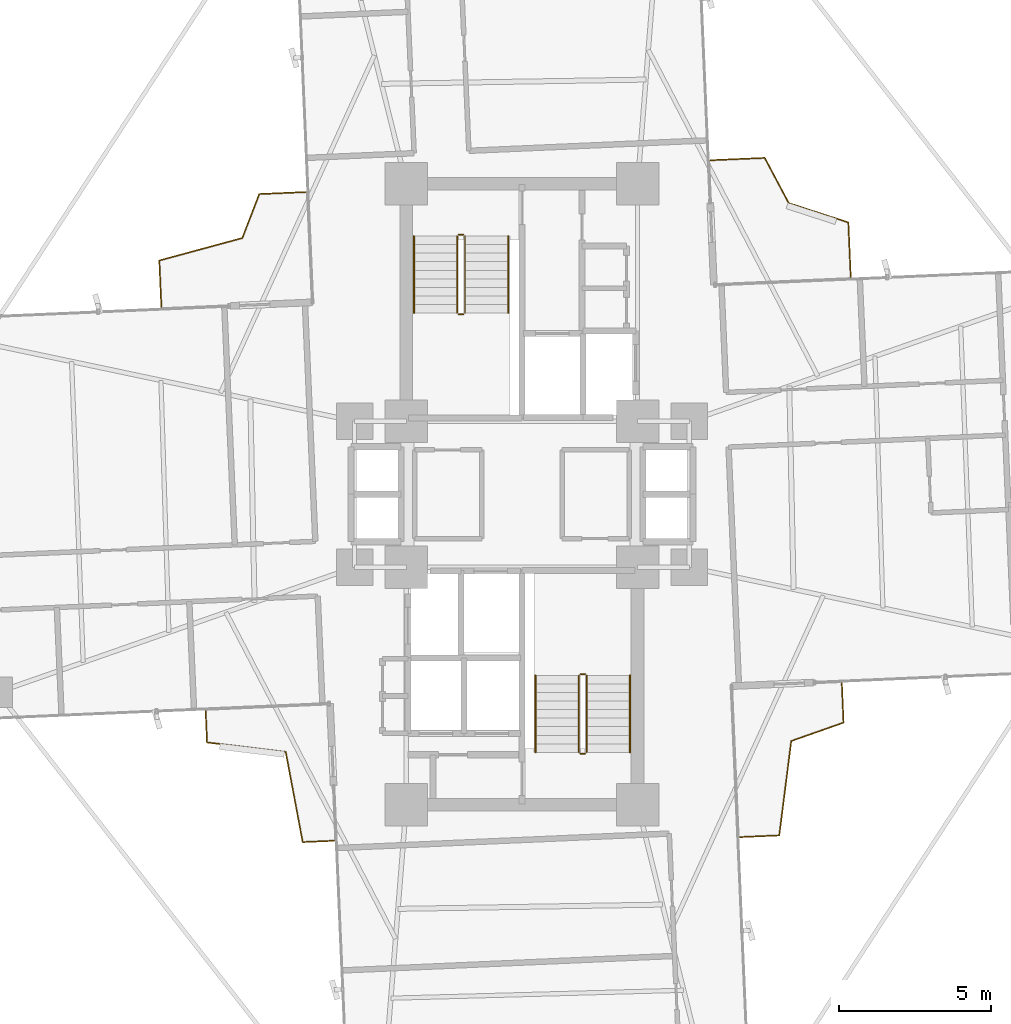
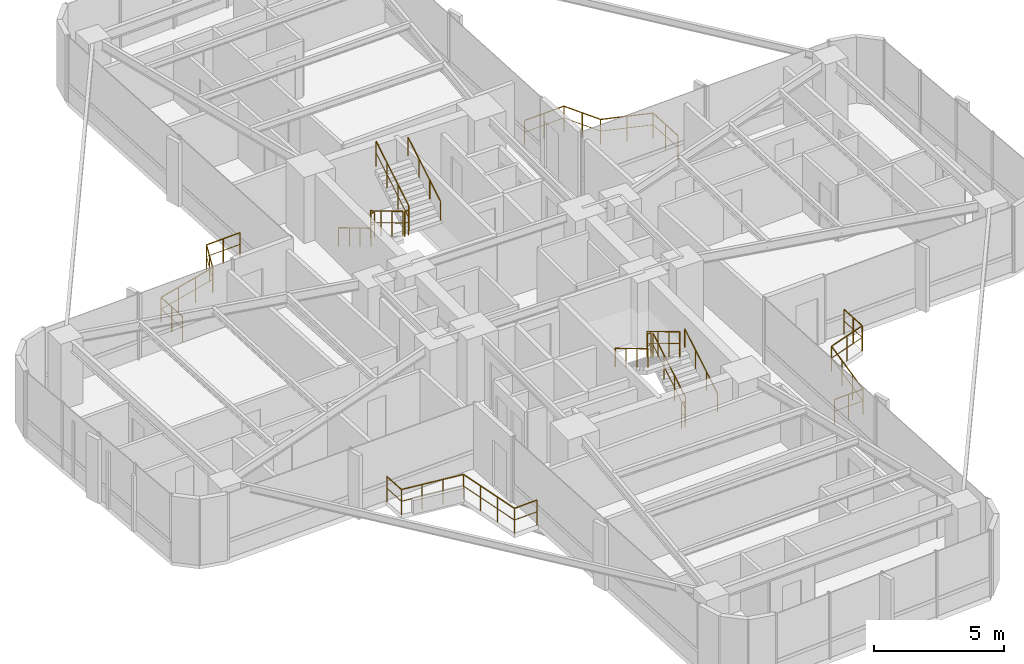
# One storey, part 27 of 27: 16 railings.
"""IFC4 building model written with IfcOpenShell, lengths in metres."""

from ifc_helpers import new_model, si_unit, direction, frame, origin, origin_2d, place, context, subcontext, project, spatial, circle, extrude, material, type_object, element, save


model = new_model("IFC4")

# Units and contexts
model_context = context("Model", 3, precision=1e-05, world=origin(), true_north=direction((0.0, 1.0)))
body_context = subcontext(model_context, "Body", "Model", "MODEL_VIEW")
ifc_project = project(units=[si_unit("LENGTHUNIT", "METRE"), si_unit("AREAUNIT", "SQUARE_METRE"), si_unit("VOLUMEUNIT", "CUBIC_METRE"), si_unit("PLANEANGLEUNIT", "RADIAN"), si_unit("MASSUNIT", "GRAM", prefix="KILO")], contexts=[model_context])

# Site, building, storey
site_placement = place(None, origin())
site = spatial("IfcSite", under=ifc_project, at=site_placement, CompositionType="ELEMENT")
building_placement = place(site_placement, origin())
building = spatial("IfcBuilding", under=site, at=building_placement, Name="Sahyath Konkavel Grand Hotel", CompositionType="ELEMENT")
storey_placement = place(building_placement, frame((0.0, 0.0, 90.199951171875)))
storey = spatial("IfcBuildingStorey", under=building, at=storey_placement, Name="L24", CompositionType="ELEMENT", Elevation=90.199951171875)

# Railings
ifc_material_1 = material(Name="Anodised Bronze Aluminium", Category="aluminium")
railing_type_1 = type_object("IfcRailingType", Name="RLG-BALC-1200", PredefinedType="GUARDRAIL", material=ifc_material_1)
railing_1_placement = place(storey_placement, frame((10.804931640625, 7.13818359375, 0.0)))
element("IfcRailing", 1, at=railing_1_placement, inside=storey, type_object=railing_type_1, Name="L24 Winter-Garden Guard NE", PredefinedType="GUARDRAIL", context=body_context, shape_type="SweptSolid", body=[
    extrude(circle(Radius=0.02392578125, at=origin_2d()), frame((0.0, 0.001953125, 1.17578125), z_axis=(-0.043667457115, 0.999046121653, 0.0), x_axis=(-0.999046121653, -0.043667457115, 0.0)), (0.0, 0.0, 1.0), 1.790771484375),
    extrude(circle(Radius=0.01416015625, at=origin_2d()), frame((0.0, 0.001953125, 0.6240234375), z_axis=(-0.043667457115, 0.999046121653, 0.0), x_axis=(-0.999046121653, -0.043667457115, 0.0)), (0.0, 0.0, 1.0), 1.790771484375),
    extrude(circle(Radius=0.02392578125, at=origin_2d()), frame((-0.080322265625, 1.793701171875, 1.17578125), z_axis=(-0.951119377356, 0.308823460926, 0.0), x_axis=(-0.308823460926, -0.951119377356, 0.0)), (0.0, 0.0, 1.0), 2.05615234375),
    extrude(circle(Radius=0.01416015625, at=origin_2d()), frame((-0.080322265625, 1.793701171875, 0.6240234375), z_axis=(-0.951119377356, 0.308823460926, 0.0), x_axis=(-0.308823460926, -0.951119377356, 0.0)), (0.0, 0.0, 1.0), 2.05615234375),
    extrude(circle(Radius=0.02392578125, at=origin_2d()), frame((-2.038818359375, 2.430908203125, 1.17578125), z_axis=(-0.468181360603, 0.883632397315, 0.0), x_axis=(-0.883632397315, -0.468181360603, 0.0)), (0.0, 0.0, 1.0), 1.6767578125),
    extrude(circle(Radius=0.01416015625, at=origin_2d()), frame((-2.038818359375, 2.430908203125, 0.6240234375), z_axis=(-0.468181360603, 0.883632397315, 0.0), x_axis=(-0.883632397315, -0.468181360603, 0.0)), (0.0, 0.0, 1.0), 1.6767578125),
    extrude(circle(Radius=0.02392578125, at=origin_2d()), frame((-2.82666015625, 3.914306640625, 1.17578125), z_axis=(-0.999052047128, -0.043531679613, 0.0), x_axis=(0.043531679613, -0.999052047128, 0.0)), (0.0, 0.0, 1.0), 1.790771484375),
    extrude(circle(Radius=0.01416015625, at=origin_2d()), frame((-2.82666015625, 3.914306640625, 0.6240234375), z_axis=(-0.999052047128, -0.043531679613, 0.0), x_axis=(0.043531679613, -0.999052047128, 0.0)), (0.0, 0.0, 1.0), 1.790771484375),
    extrude(circle(Radius=0.02099609375, at=origin_2d()), origin(), (0.0, 0.0, 1.0), 1.15185546875),
    extrude(circle(Radius=0.02099609375, at=origin_2d()), frame((-0.0390625, 0.896484375, 0.0)), (0.0, 0.0, 1.0), 1.15185546875),
    extrude(circle(Radius=0.02099609375, at=origin_2d()), frame((-0.078369140625, 1.79296875, 0.0)), (0.0, 0.0, 1.0), 1.15185546875),
    extrude(circle(Radius=0.02099609375, at=origin_2d()), frame((-1.05810546875, 2.111083984375, 0.0)), (0.0, 0.0, 1.0), 1.15185546875),
    extrude(circle(Radius=0.02099609375, at=origin_2d()), frame((-2.037841796875, 2.42919921875, 0.0)), (0.0, 0.0, 1.0), 1.15185546875),
    extrude(circle(Radius=0.02099609375, at=origin_2d()), frame((-2.43115234375, 3.171875, 0.0)), (0.0, 0.0, 1.0), 1.15185546875),
    extrude(circle(Radius=0.02099609375, at=origin_2d()), frame((-2.82470703125, 3.914306640625, 0.0)), (0.0, 0.0, 1.0), 1.15185546875),
    extrude(circle(Radius=0.02099609375, at=origin_2d()), frame((-3.72119140625, 3.875244140625, 0.0)), (0.0, 0.0, 1.0), 1.15185546875),
    extrude(circle(Radius=0.02099609375, at=origin_2d()), frame((-4.61767578125, 3.836181640625, 0.0)), (0.0, 0.0, 1.0), 1.15185546875),
])
railing_2_placement = place(storey_placement, frame((-7.099853515625, 9.930908203125, 0.0)))
element("IfcRailing", 2, at=railing_2_placement, inside=storey, type_object=railing_type_1, Name="L24 Winter-Garden Guard NW", PredefinedType="GUARDRAIL", context=body_context, shape_type="SweptSolid", body=[
    extrude(circle(Radius=0.02392578125, at=origin_2d()), frame((-0.001953125, 0.0, 1.17578125), z_axis=(-0.999047120596, -0.043644596786, 0.0), x_axis=(0.043644596786, -0.999047120596, 0.0)), (0.0, 0.0, 1.0), 1.52880859375),
    extrude(circle(Radius=0.01416015625, at=origin_2d()), frame((-0.001953125, 0.0, 0.6240234375), z_axis=(-0.999047120596, -0.043644596786, 0.0), x_axis=(0.043644596786, -0.999047120596, 0.0)), (0.0, 0.0, 1.0), 1.52880859375),
    extrude(circle(Radius=0.02392578125, at=origin_2d()), frame((-1.531982421875, -0.06884765625, 1.17578125), z_axis=(-0.359644614281, -0.933089358753, 0.0), x_axis=(0.933089358753, -0.359644614281, 0.0)), (0.0, 0.0, 1.0), 1.54443359375),
    extrude(circle(Radius=0.01416015625, at=origin_2d()), frame((-1.531982421875, -0.06884765625, 0.6240234375), z_axis=(-0.359644614281, -0.933089358753, 0.0), x_axis=(0.933089358753, -0.359644614281, 0.0)), (0.0, 0.0, 1.0), 1.54443359375),
    extrude(circle(Radius=0.02392578125, at=origin_2d()), frame((-2.090087890625, -1.51220703125, 1.17578125), z_axis=(-0.965193207991, -0.261537896391, 0.0), x_axis=(0.261537896391, -0.965193207991, 0.0)), (0.0, 0.0, 1.0), 2.821533203125),
    extrude(circle(Radius=0.01416015625, at=origin_2d()), frame((-2.090087890625, -1.51220703125, 0.6240234375), z_axis=(-0.965193207991, -0.261537896391, 0.0), x_axis=(0.261537896391, -0.965193207991, 0.0)), (0.0, 0.0, 1.0), 2.821533203125),
    extrude(circle(Radius=0.02392578125, at=origin_2d()), frame((-4.8154296875, -2.252685546875, 1.17578125), z_axis=(0.043644596786, -0.999047120596, 0.0), x_axis=(0.999047120596, 0.043644596786, 0.0)), (0.0, 0.0, 1.0), 1.52880859375),
    extrude(circle(Radius=0.01416015625, at=origin_2d()), frame((-4.8154296875, -2.252685546875, 0.6240234375), z_axis=(0.043644596786, -0.999047120596, 0.0), x_axis=(0.999047120596, 0.043644596786, 0.0)), (0.0, 0.0, 1.0), 1.52880859375),
    extrude(circle(Radius=0.02099609375, at=origin_2d()), origin(), (0.0, 0.0, 1.0), 1.15185546875),
    extrude(circle(Radius=0.02099609375, at=origin_2d()), frame((-0.765625, -0.033447265625, 0.0)), (0.0, 0.0, 1.0), 1.15185546875),
    extrude(circle(Radius=0.02099609375, at=origin_2d()), frame((-1.53125, -0.06689453125, 0.0)), (0.0, 0.0, 1.0), 1.15185546875),
    extrude(circle(Radius=0.02099609375, at=origin_2d()), frame((-1.8095703125, -0.789306640625, 0.0)), (0.0, 0.0, 1.0), 1.15185546875),
    extrude(circle(Radius=0.02099609375, at=origin_2d()), frame((-2.088134765625, -1.51171875, 0.0)), (0.0, 0.0, 1.0), 1.15185546875),
    extrude(circle(Radius=0.02099609375, at=origin_2d()), frame((-2.997314453125, -1.758056640625, 0.0)), (0.0, 0.0, 1.0), 1.15185546875),
    extrude(circle(Radius=0.02099609375, at=origin_2d()), frame((-3.90625, -2.00439453125, 0.0)), (0.0, 0.0, 1.0), 1.15185546875),
    extrude(circle(Radius=0.02099609375, at=origin_2d()), frame((-4.8154296875, -2.250732421875, 0.0)), (0.0, 0.0, 1.0), 1.15185546875),
    extrude(circle(Radius=0.02099609375, at=origin_2d()), frame((-4.781982421875, -3.016357421875, 0.0)), (0.0, 0.0, 1.0), 1.15185546875),
    extrude(circle(Radius=0.02099609375, at=origin_2d()), frame((-4.74853515625, -3.781982421875, 0.0)), (0.0, 0.0, 1.0), 1.15185546875),
])
railing_3_placement = place(storey_placement, frame((-10.393310546875, -7.1201171875, 0.0)))
element("IfcRailing", 3, at=railing_3_placement, inside=storey, type_object=railing_type_1, Name="L24 Winter-Garden Guard SW", PredefinedType="GUARDRAIL", context=body_context, shape_type="SweptSolid", body=[
    extrude(circle(Radius=0.02392578125, at=origin_2d()), frame((0.0, -0.001953125, 1.17578125), z_axis=(0.043539356144, -0.999051712609, 0.0), x_axis=(0.999051712609, 0.043539356144, 0.0)), (0.0, 0.0, 1.0), 1.033447265625),
    extrude(circle(Radius=0.01416015625, at=origin_2d()), frame((0.0, -0.001953125, 0.6240234375), z_axis=(0.043539356144, -0.999051712609, 0.0), x_axis=(0.999051712609, 0.043539356144, 0.0)), (0.0, 0.0, 1.0), 1.033447265625),
    extrude(circle(Radius=0.02392578125, at=origin_2d()), frame((0.047119140625, -1.03662109375, 1.17578125), z_axis=(0.9927001594, -0.120608430581, 0.0), x_axis=(0.120608430581, 0.9927001594, 0.0)), (0.0, 0.0, 1.0), 2.601318359375),
    extrude(circle(Radius=0.01416015625, at=origin_2d()), frame((0.047119140625, -1.03662109375, 0.6240234375), z_axis=(0.9927001594, -0.120608430581, 0.0), x_axis=(0.120608430581, 0.9927001594, 0.0)), (0.0, 0.0, 1.0), 2.601318359375),
    extrude(circle(Radius=0.02392578125, at=origin_2d()), frame((2.6318359375, -1.3525390625, 1.17578125), z_axis=(0.184709358276, -0.982793189316, 0.0), x_axis=(0.982793189316, 0.184709358276, 0.0)), (0.0, 0.0, 1.0), 3.00830078125),
    extrude(circle(Radius=0.01416015625, at=origin_2d()), frame((2.6318359375, -1.3525390625, 0.6240234375), z_axis=(0.184709358276, -0.982793189316, 0.0), x_axis=(0.982793189316, 0.184709358276, 0.0)), (0.0, 0.0, 1.0), 3.00830078125),
    extrude(circle(Radius=0.02392578125, at=origin_2d()), frame((3.189697265625, -4.31103515625, 1.17578125), z_axis=(0.999051712609, 0.043539356144, 0.0), x_axis=(-0.043539356144, 0.999051712609, 0.0)), (0.0, 0.0, 1.0), 1.033447265625),
    extrude(circle(Radius=0.01416015625, at=origin_2d()), frame((3.189697265625, -4.31103515625, 0.6240234375), z_axis=(0.999051712609, 0.043539356144, 0.0), x_axis=(-0.043539356144, 0.999051712609, 0.0)), (0.0, 0.0, 1.0), 1.033447265625),
    extrude(circle(Radius=0.02099609375, at=origin_2d()), origin(), (0.0, 0.0, 1.0), 1.15185546875),
    extrude(circle(Radius=0.02099609375, at=origin_2d()), frame((0.045166015625, -1.036376953125, 0.0)), (0.0, 0.0, 1.0), 1.15185546875),
    extrude(circle(Radius=0.02099609375, at=origin_2d()), frame((0.9072265625, -1.14111328125, 0.0)), (0.0, 0.0, 1.0), 1.15185546875),
    extrude(circle(Radius=0.02099609375, at=origin_2d()), frame((1.769287109375, -1.245849609375, 0.0)), (0.0, 0.0, 1.0), 1.15185546875),
    extrude(circle(Radius=0.02099609375, at=origin_2d()), frame((2.63134765625, -1.3505859375, 0.0)), (0.0, 0.0, 1.0), 1.15185546875),
    extrude(circle(Radius=0.02099609375, at=origin_2d()), frame((2.81689453125, -2.33740234375, 0.0)), (0.0, 0.0, 1.0), 1.15185546875),
    extrude(circle(Radius=0.02099609375, at=origin_2d()), frame((3.002197265625, -3.32421875, 0.0)), (0.0, 0.0, 1.0), 1.15185546875),
    extrude(circle(Radius=0.02099609375, at=origin_2d()), frame((3.187744140625, -4.31103515625, 0.0)), (0.0, 0.0, 1.0), 1.15185546875),
    extrude(circle(Radius=0.02099609375, at=origin_2d()), frame((4.22412109375, -4.265869140625, 0.0)), (0.0, 0.0, 1.0), 1.15185546875),
])
railing_4_placement = place(storey_placement, frame((7.158203125, -11.267578125, 0.0)))
element("IfcRailing", 4, at=railing_4_placement, inside=storey, type_object=railing_type_1, Name="L24 Winter-Garden Guard SE", PredefinedType="GUARDRAIL", context=body_context, shape_type="SweptSolid", body=[
    extrude(circle(Radius=0.02392578125, at=origin_2d()), frame((0.001953125, 0.0, 1.17578125), z_axis=(0.999041209813, 0.043779688149, 0.0), x_axis=(-0.043779688149, 0.999041209813, 0.0)), (0.0, 0.0, 1.0), 1.29541015625),
    extrude(circle(Radius=0.01416015625, at=origin_2d()), frame((0.001953125, 0.0, 0.6240234375), z_axis=(0.999041209813, 0.043779688149, 0.0), x_axis=(-0.043779688149, 0.999041209813, 0.0)), (0.0, 0.0, 1.0), 1.29541015625),
    extrude(circle(Radius=0.02392578125, at=origin_2d()), frame((1.29833984375, 0.058837890625, 1.17578125), z_axis=(0.125976197099, 0.992033264445, 0.0), x_axis=(-0.992033264445, 0.125976197099, 0.0)), (0.0, 0.0, 1.0), 3.1220703125),
    extrude(circle(Radius=0.01416015625, at=origin_2d()), frame((1.29833984375, 0.058837890625, 0.6240234375), z_axis=(0.125976197099, 0.992033264445, 0.0), x_axis=(-0.992033264445, 0.125976197099, 0.0)), (0.0, 0.0, 1.0), 3.1220703125),
    extrude(circle(Radius=0.02392578125, at=origin_2d()), frame((1.69384765625, 3.15869140625, 1.17578125), z_axis=(0.943410276012, 0.331627880485, 0.0), x_axis=(-0.331627880485, 0.943410276012, 0.0)), (0.0, 0.0, 1.0), 1.8173828125),
    extrude(circle(Radius=0.01416015625, at=origin_2d()), frame((1.69384765625, 3.15869140625, 0.6240234375), z_axis=(0.943410276012, 0.331627880485, 0.0), x_axis=(-0.331627880485, 0.943410276012, 0.0)), (0.0, 0.0, 1.0), 1.8173828125),
    extrude(circle(Radius=0.02392578125, at=origin_2d()), frame((3.41015625, 3.763916015625, 1.17578125), z_axis=(-0.043592150313, 0.999049410405, 0.0), x_axis=(-0.999049410405, -0.043592150313, 0.0)), (0.0, 0.0, 1.0), 1.29541015625),
    extrude(circle(Radius=0.01416015625, at=origin_2d()), frame((3.41015625, 3.763916015625, 0.6240234375), z_axis=(-0.043592150313, 0.999049410405, 0.0), x_axis=(-0.999049410405, -0.043592150313, 0.0)), (0.0, 0.0, 1.0), 1.29541015625),
    extrude(circle(Radius=0.02099609375, at=origin_2d()), origin(), (0.0, 0.0, 1.0), 1.15185546875),
    extrude(circle(Radius=0.02099609375, at=origin_2d()), frame((0.64892578125, 0.0283203125, 0.0)), (0.0, 0.0, 1.0), 1.15185546875),
    extrude(circle(Radius=0.02099609375, at=origin_2d()), frame((1.298095703125, 0.056884765625, 0.0)), (0.0, 0.0, 1.0), 1.15185546875),
    extrude(circle(Radius=0.02099609375, at=origin_2d()), frame((1.429443359375, 1.090576171875, 0.0)), (0.0, 0.0, 1.0), 1.15185546875),
    extrude(circle(Radius=0.02099609375, at=origin_2d()), frame((1.560546875, 2.124267578125, 0.0)), (0.0, 0.0, 1.0), 1.15185546875),
    extrude(circle(Radius=0.02099609375, at=origin_2d()), frame((1.69189453125, 3.157958984375, 0.0)), (0.0, 0.0, 1.0), 1.15185546875),
    extrude(circle(Radius=0.02099609375, at=origin_2d()), frame((2.551025390625, 3.4599609375, 0.0)), (0.0, 0.0, 1.0), 1.15185546875),
    extrude(circle(Radius=0.02099609375, at=origin_2d()), frame((3.41015625, 3.761962890625, 0.0)), (0.0, 0.0, 1.0), 1.15185546875),
    extrude(circle(Radius=0.02099609375, at=origin_2d()), frame((3.3818359375, 4.4111328125, 0.0)), (0.0, 0.0, 1.0), 1.15185546875),
    extrude(circle(Radius=0.02099609375, at=origin_2d()), frame((3.353515625, 5.06005859375, 0.0)), (0.0, 0.0, 1.0), 1.15185546875),
])
ifc_material_2 = material(Name="Steel E350", Category="steel")
railing_type_2 = type_object("IfcRailingType", Name="RLG-STAIR-GRD", PredefinedType="GUARDRAIL", material=ifc_material_2)
railing_5_placement = place(storey_placement, frame((-2.1298828125, 8.47998046875, 0.16748046875)))
element("IfcRailing", 5, at=railing_5_placement, inside=storey, type_object=railing_type_2, Name="L24 ST-1 stair guard 1", PredefinedType="GUARDRAIL", context=body_context, shape_type="SweptSolid", body=[
    extrude(circle(Radius=0.02392578125, at=origin_2d()), frame((0.0, -0.001708984375, 1.177001953125), z_axis=(0.0, -0.858159760407, 0.513382728203), x_axis=(1.0, 0.0, 0.0)), (0.0, 0.0, 1.0), 2.9326171875),
    extrude(circle(Radius=0.01416015625, at=origin_2d()), frame((0.0, -0.001708984375, 0.625), z_axis=(0.0, -0.858159760407, 0.513382728203), x_axis=(1.0, 0.0, 0.0)), (0.0, 0.0, 1.0), 2.9326171875),
    extrude(circle(Radius=0.02099609375, at=origin_2d()), origin(), (0.0, 0.0, 1.0), 1.15185546875),
    extrude(circle(Radius=0.02099609375, at=origin_2d()), frame((0.0, -0.840087890625, 0.50244140625)), (0.0, 0.0, 1.0), 1.15185546875),
    extrude(circle(Radius=0.02099609375, at=origin_2d()), frame((0.0, -1.679931640625, 1.005126953125)), (0.0, 0.0, 1.0), 1.15185546875),
    extrude(circle(Radius=0.02099609375, at=origin_2d()), frame((0.0, -2.52001953125, 1.507568359375)), (0.0, 0.0, 1.0), 1.15185546875),
])
railing_6_placement = place(storey_placement, frame((-2.080078125, 5.909912109375, 1.675048828125)))
element("IfcRailing", 6, at=railing_6_placement, inside=storey, type_object=railing_type_2, Name="L24 ST-1 stair guard 2", PredefinedType="GUARDRAIL", context=body_context, shape_type="SweptSolid", body=[
    extrude(circle(Radius=0.02392578125, at=origin_2d()), frame((0.001953125, 0.0, 1.17578125), z_axis=(1.0, 0.0, 0.0), x_axis=(0.0, 1.0, 0.0)), (0.0, 0.0, 1.0), 0.15625),
    extrude(circle(Radius=0.01416015625, at=origin_2d()), frame((0.001953125, 0.0, 0.6240234375), z_axis=(1.0, 0.0, 0.0), x_axis=(0.0, 1.0, 0.0)), (0.0, 0.0, 1.0), 0.15625),
    extrude(circle(Radius=0.02099609375, at=origin_2d()), origin(), (0.0, 0.0, 1.0), 1.15185546875),
    extrude(circle(Radius=0.02099609375, at=origin_2d()), frame((0.16015625, 0.0, 0.0)), (0.0, 0.0, 1.0), 1.15185546875),
])
railing_7_placement = place(storey_placement, frame((-1.8701171875, 5.9599609375, 1.842529296875)))
element("IfcRailing", 7, at=railing_7_placement, inside=storey, type_object=railing_type_2, Name="L24 ST-1 stair guard 3", PredefinedType="GUARDRAIL", context=body_context, shape_type="SweptSolid", body=[
    extrude(circle(Radius=0.02392578125, at=origin_2d()), frame((0.0, 0.001708984375, 1.177001953125), z_axis=(0.0, 0.858159760407, 0.513382728203), x_axis=(-1.0, 0.0, 0.0)), (0.0, 0.0, 1.0), 2.9326171875),
    extrude(circle(Radius=0.01416015625, at=origin_2d()), frame((0.0, 0.001708984375, 0.625), z_axis=(0.0, 0.858159760407, 0.513382728203), x_axis=(-1.0, 0.0, 0.0)), (0.0, 0.0, 1.0), 2.9326171875),
    extrude(circle(Radius=0.02099609375, at=origin_2d()), origin(), (0.0, 0.0, 1.0), 1.15185546875),
    extrude(circle(Radius=0.02099609375, at=origin_2d()), frame((0.0, 0.840087890625, 0.50244140625)), (0.0, 0.0, 1.0), 1.15185546875),
    extrude(circle(Radius=0.02099609375, at=origin_2d()), frame((0.0, 1.679931640625, 1.005126953125)), (0.0, 0.0, 1.0), 1.15185546875),
    extrude(circle(Radius=0.02099609375, at=origin_2d()), frame((0.0, 2.52001953125, 1.507568359375)), (0.0, 0.0, 1.0), 1.15185546875),
])
railing_8_placement = place(storey_placement, frame((-2.080078125, 8.530029296875, 0.0)))
element("IfcRailing", 8, at=railing_8_placement, inside=storey, type_object=railing_type_2, Name="L24 ST-1 stair guard 4", PredefinedType="GUARDRAIL", context=body_context, shape_type="SweptSolid", body=[
    extrude(circle(Radius=0.02392578125, at=origin_2d()), frame((0.001953125, 0.0, 1.17578125), z_axis=(1.0, 0.0, 0.0), x_axis=(0.0, 1.0, 0.0)), (0.0, 0.0, 1.0), 0.15625),
    extrude(circle(Radius=0.01416015625, at=origin_2d()), frame((0.001953125, 0.0, 0.6240234375), z_axis=(1.0, 0.0, 0.0), x_axis=(0.0, 1.0, 0.0)), (0.0, 0.0, 1.0), 0.15625),
    extrude(circle(Radius=0.02099609375, at=origin_2d()), origin(), (0.0, 0.0, 1.0), 1.15185546875),
    extrude(circle(Radius=0.02099609375, at=origin_2d()), frame((0.16015625, 0.0, 0.0)), (0.0, 0.0, 1.0), 1.15185546875),
])
railing_9_placement = place(storey_placement, frame((2.1298828125, -8.47998046875, 0.16748046875)))
element("IfcRailing", 9, at=railing_9_placement, inside=storey, type_object=railing_type_2, Name="L24 ST-2 stair guard 1", PredefinedType="GUARDRAIL", context=body_context, shape_type="SweptSolid", body=[
    extrude(circle(Radius=0.02392578125, at=origin_2d()), frame((0.0, 0.001708984375, 1.177001953125), z_axis=(0.0, 0.858159760407, 0.513382728203), x_axis=(-1.0, 0.0, 0.0)), (0.0, 0.0, 1.0), 2.9326171875),
    extrude(circle(Radius=0.01416015625, at=origin_2d()), frame((0.0, 0.001708984375, 0.625), z_axis=(0.0, 0.858159760407, 0.513382728203), x_axis=(-1.0, 0.0, 0.0)), (0.0, 0.0, 1.0), 2.9326171875),
    extrude(circle(Radius=0.02099609375, at=origin_2d()), origin(), (0.0, 0.0, 1.0), 1.15185546875),
    extrude(circle(Radius=0.02099609375, at=origin_2d()), frame((0.0, 0.840087890625, 0.50244140625)), (0.0, 0.0, 1.0), 1.15185546875),
    extrude(circle(Radius=0.02099609375, at=origin_2d()), frame((0.0, 1.679931640625, 1.005126953125)), (0.0, 0.0, 1.0), 1.15185546875),
    extrude(circle(Radius=0.02099609375, at=origin_2d()), frame((0.0, 2.52001953125, 1.507568359375)), (0.0, 0.0, 1.0), 1.15185546875),
])
railing_10_placement = place(storey_placement, frame((2.080078125, -5.909912109375, 1.675048828125)))
element("IfcRailing", 10, at=railing_10_placement, inside=storey, type_object=railing_type_2, Name="L24 ST-2 stair guard 2", PredefinedType="GUARDRAIL", context=body_context, shape_type="SweptSolid", body=[
    extrude(circle(Radius=0.02392578125, at=origin_2d()), frame((-0.001953125, 0.0, 1.17578125), z_axis=(-1.0, 0.0, 0.0), x_axis=(0.0, -1.0, 0.0)), (0.0, 0.0, 1.0), 0.15625),
    extrude(circle(Radius=0.01416015625, at=origin_2d()), frame((-0.001953125, 0.0, 0.6240234375), z_axis=(-1.0, 0.0, 0.0), x_axis=(0.0, -1.0, 0.0)), (0.0, 0.0, 1.0), 0.15625),
    extrude(circle(Radius=0.02099609375, at=origin_2d()), origin(), (0.0, 0.0, 1.0), 1.15185546875),
    extrude(circle(Radius=0.02099609375, at=origin_2d()), frame((-0.16015625, 0.0, 0.0)), (0.0, 0.0, 1.0), 1.15185546875),
])
railing_11_placement = place(storey_placement, frame((1.8701171875, -5.9599609375, 1.842529296875)))
element("IfcRailing", 11, at=railing_11_placement, inside=storey, type_object=railing_type_2, Name="L24 ST-2 stair guard 3", PredefinedType="GUARDRAIL", context=body_context, shape_type="SweptSolid", body=[
    extrude(circle(Radius=0.02392578125, at=origin_2d()), frame((0.0, -0.001708984375, 1.177001953125), z_axis=(0.0, -0.858159760407, 0.513382728203), x_axis=(1.0, 0.0, 0.0)), (0.0, 0.0, 1.0), 2.9326171875),
    extrude(circle(Radius=0.01416015625, at=origin_2d()), frame((0.0, -0.001708984375, 0.625), z_axis=(0.0, -0.858159760407, 0.513382728203), x_axis=(1.0, 0.0, 0.0)), (0.0, 0.0, 1.0), 2.9326171875),
    extrude(circle(Radius=0.02099609375, at=origin_2d()), origin(), (0.0, 0.0, 1.0), 1.15185546875),
    extrude(circle(Radius=0.02099609375, at=origin_2d()), frame((0.0, -0.840087890625, 0.50244140625)), (0.0, 0.0, 1.0), 1.15185546875),
    extrude(circle(Radius=0.02099609375, at=origin_2d()), frame((0.0, -1.679931640625, 1.005126953125)), (0.0, 0.0, 1.0), 1.15185546875),
    extrude(circle(Radius=0.02099609375, at=origin_2d()), frame((0.0, -2.52001953125, 1.507568359375)), (0.0, 0.0, 1.0), 1.15185546875),
])
railing_12_placement = place(storey_placement, frame((2.080078125, -8.530029296875, 0.0)))
element("IfcRailing", 12, at=railing_12_placement, inside=storey, type_object=railing_type_2, Name="L24 ST-2 stair guard 4", PredefinedType="GUARDRAIL", context=body_context, shape_type="SweptSolid", body=[
    extrude(circle(Radius=0.02392578125, at=origin_2d()), frame((-0.001953125, 0.0, 1.17578125), z_axis=(-1.0, 0.0, 0.0), x_axis=(0.0, -1.0, 0.0)), (0.0, 0.0, 1.0), 0.15625),
    extrude(circle(Radius=0.01416015625, at=origin_2d()), frame((-0.001953125, 0.0, 0.6240234375), z_axis=(-1.0, 0.0, 0.0), x_axis=(0.0, -1.0, 0.0)), (0.0, 0.0, 1.0), 0.15625),
    extrude(circle(Radius=0.02099609375, at=origin_2d()), origin(), (0.0, 0.0, 1.0), 1.15185546875),
    extrude(circle(Radius=0.02099609375, at=origin_2d()), frame((-0.16015625, 0.0, 0.0)), (0.0, 0.0, 1.0), 1.15185546875),
])
railing_type_3 = type_object("IfcRailingType", Name="RLG-STAIR-HND", PredefinedType="HANDRAIL", material=ifc_material_1)
railing_13_placement = place(storey_placement, frame((-3.550048828125, 8.47998046875, 0.16748046875)))
element("IfcRailing", 13, at=railing_13_placement, inside=storey, type_object=railing_type_3, Name="L24 ST-1 stair handrail 1", PredefinedType="HANDRAIL", context=body_context, shape_type="SweptSolid", body=[
    extrude(circle(Radius=0.02392578125, at=origin_2d()), frame((0.0, -0.001708984375, 0.876953125), z_axis=(0.0, -0.858159760407, 0.513382728203), x_axis=(1.0, 0.0, 0.0)), (0.0, 0.0, 1.0), 2.9326171875),
    extrude(circle(Radius=0.02099609375, at=origin_2d()), origin(), (0.0, 0.0, 1.0), 0.851806640625),
    extrude(circle(Radius=0.02099609375, at=origin_2d()), frame((0.0, -0.840087890625, 0.50244140625)), (0.0, 0.0, 1.0), 0.851806640625),
    extrude(circle(Radius=0.02099609375, at=origin_2d()), frame((0.0, -1.679931640625, 1.005126953125)), (0.0, 0.0, 1.0), 0.851806640625),
    extrude(circle(Radius=0.02099609375, at=origin_2d()), frame((0.0, -2.52001953125, 1.507568359375)), (0.0, 0.0, 1.0), 0.851806640625),
])
for number, where, name in (
    (14, (-0.449951171875, 5.9599609375, 1.842529296875), "L24 ST-1 stair handrail 2"),
    (15, (3.550048828125, -8.47998046875, 0.16748046875), "L24 ST-2 stair handrail 1"),
):
    element("IfcRailing", number, at=place(storey_placement, frame(where)), inside=storey, type_object=railing_type_3, Name=name, PredefinedType="HANDRAIL", context=body_context, shape_type="SweptSolid", body=[
        extrude(circle(Radius=0.02392578125, at=origin_2d()), frame((0.0, 0.001708984375, 0.876953125), z_axis=(0.0, 0.858159760407, 0.513382728203), x_axis=(-1.0, 0.0, 0.0)), (0.0, 0.0, 1.0), 2.9326171875),
        extrude(circle(Radius=0.02099609375, at=origin_2d()), origin(), (0.0, 0.0, 1.0), 0.851806640625),
        extrude(circle(Radius=0.02099609375, at=origin_2d()), frame((0.0, 0.840087890625, 0.50244140625)), (0.0, 0.0, 1.0), 0.851806640625),
        extrude(circle(Radius=0.02099609375, at=origin_2d()), frame((0.0, 1.679931640625, 1.005126953125)), (0.0, 0.0, 1.0), 0.851806640625),
        extrude(circle(Radius=0.02099609375, at=origin_2d()), frame((0.0, 2.52001953125, 1.507568359375)), (0.0, 0.0, 1.0), 0.851806640625),
    ])
railing_14_placement = place(storey_placement, frame((0.449951171875, -5.9599609375, 1.842529296875)))
element("IfcRailing", 16, at=railing_14_placement, inside=storey, type_object=railing_type_3, Name="L24 ST-2 stair handrail 2", PredefinedType="HANDRAIL", context=body_context, shape_type="SweptSolid", body=[
    extrude(circle(Radius=0.02392578125, at=origin_2d()), frame((0.0, -0.001708984375, 0.876953125), z_axis=(0.0, -0.858159760407, 0.513382728203), x_axis=(1.0, 0.0, 0.0)), (0.0, 0.0, 1.0), 2.9326171875),
    extrude(circle(Radius=0.02099609375, at=origin_2d()), origin(), (0.0, 0.0, 1.0), 0.851806640625),
    extrude(circle(Radius=0.02099609375, at=origin_2d()), frame((0.0, -0.840087890625, 0.50244140625)), (0.0, 0.0, 1.0), 0.851806640625),
    extrude(circle(Radius=0.02099609375, at=origin_2d()), frame((0.0, -1.679931640625, 1.005126953125)), (0.0, 0.0, 1.0), 0.851806640625),
    extrude(circle(Radius=0.02099609375, at=origin_2d()), frame((0.0, -2.52001953125, 1.507568359375)), (0.0, 0.0, 1.0), 0.851806640625),
])

save(model, "model.ifc")
